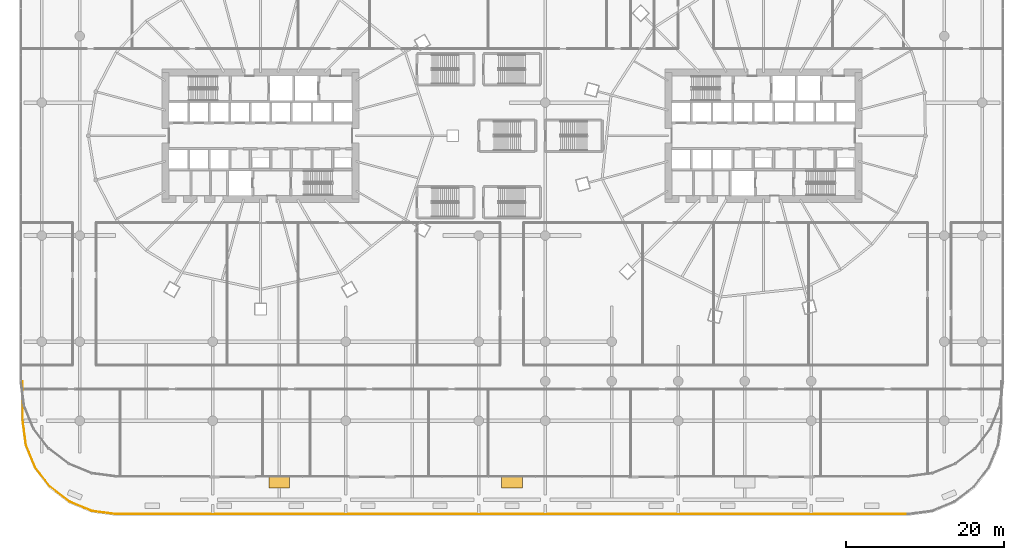
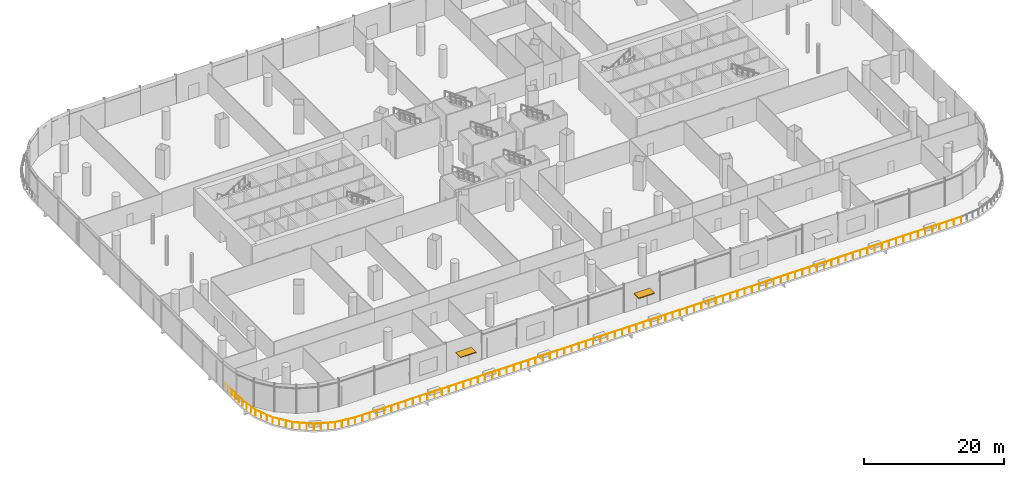
# One storey, part 44 of 51: 2 railings, 2 shading devices.
"""IFC4 building model written with IfcOpenShell, lengths in metres."""

from ifc_helpers import new_model, si_unit, direction, frame, origin, origin_2d, place, context, subcontext, project, spatial, rectangle, circle, extrude, material, layer, layer_set, type_object, element, save


model = new_model("IFC4")

# Units and contexts
model_context = context("Model", 3, precision=1e-05, world=origin(), true_north=direction((0.0, 1.0)))
body_context = subcontext(model_context, "Body", "Model", "MODEL_VIEW")
ifc_project = project(units=[si_unit("LENGTHUNIT", "METRE"), si_unit("AREAUNIT", "SQUARE_METRE"), si_unit("VOLUMEUNIT", "CUBIC_METRE"), si_unit("PLANEANGLEUNIT", "RADIAN"), si_unit("MASSUNIT", "GRAM", prefix="KILO")], contexts=[model_context])

# Site, building, storey
site_placement = place(None, origin())
site = spatial("IfcSite", under=ifc_project, at=site_placement, CompositionType="ELEMENT")
building_placement = place(site_placement, origin())
building = spatial("IfcBuilding", under=site, at=building_placement, Name="Rimbun Link Towers", CompositionType="ELEMENT")
storey_placement = place(building_placement, frame((0.0, 0.0, 7.0)))
storey = spatial("IfcBuildingStorey", under=building, at=storey_placement, Name="L01", CompositionType="ELEMENT", Elevation=7.0)

# Railings
ifc_material_1 = material(Name="Toughened laminated glass, stainless steel grade 316 posts and cap rail", Category="steel")
railing_type = type_object("IfcRailingType", Name="GUARD glass balustrade with stainless cap rail", PredefinedType="BALUSTRADE", material=ifc_material_1)
railing_1_placement = place(storey_placement, frame((-61.800048828125, -31.0, 0.0)))
element("IfcRailing", 1, at=railing_1_placement, inside=storey, type_object=railing_type, Name="GUARD glass balustrade", PredefinedType="BALUSTRADE", context=body_context, shape_type="SweptSolid", body=[
    extrude(circle(Radius=0.02392578125, at=origin_2d()), frame((0.0, 0.0, 1.076171875), z_axis=(0.0, -1.0, 0.0), x_axis=(1.0, 0.0, 0.0)), (0.0, 0.0, 1.0), 4.98681640625),
    extrude(circle(Radius=0.02392578125, at=origin_2d()), frame((0.0, -4.98681640625, 1.076171875), z_axis=(0.130540259305, -0.991443009305, 0.0), x_axis=(0.991443009305, 0.130540259305, 0.0)), (0.0, 0.0, 1.0), 3.09326171875),
    extrude(circle(Radius=0.02392578125, at=origin_2d()), frame((0.40380859375, -8.0537109375, 1.076171875), z_axis=(0.382706499462, -0.92386997747, 0.0), x_axis=(0.92386997747, 0.382706499462, 0.0)), (0.0, 0.0, 1.0), 3.079833984375),
    extrude(circle(Radius=0.02392578125, at=origin_2d()), frame((1.58251953125, -10.899169921875, 1.076171875), z_axis=(0.608702762794, -0.793398353015, 0.0), x_axis=(0.793398353015, 0.608702762794, 0.0)), (0.0, 0.0, 1.0), 3.079833984375),
    extrude(circle(Radius=0.02392578125, at=origin_2d()), frame((3.457275390625, -13.3427734375, 1.076171875), z_axis=(0.793398353015, -0.608702762794, 0.0), x_axis=(0.608702762794, 0.793398353015, 0.0)), (0.0, 0.0, 1.0), 3.079833984375),
    extrude(circle(Radius=0.02392578125, at=origin_2d()), frame((5.90087890625, -15.217529296875, 1.076171875), z_axis=(0.92386997747, -0.382706499462, 0.0), x_axis=(0.382706499462, 0.92386997747, 0.0)), (0.0, 0.0, 1.0), 3.079833984375),
    extrude(circle(Radius=0.02392578125, at=origin_2d()), frame((8.746337890625, -16.396240234375, 1.076171875), z_axis=(0.991443009305, -0.130540259305, 0.0), x_axis=(0.130540259305, 0.991443009305, 0.0)), (0.0, 0.0, 1.0), 3.09326171875),
    extrude(circle(Radius=0.02099609375, at=origin_2d()), origin(), (0.0, 0.0, 1.0), 1.052001953125),
    extrude(circle(Radius=0.02099609375, at=origin_2d()), frame((0.0, -0.997314453125, 0.0)), (0.0, 0.0, 1.0), 1.052001953125),
    extrude(circle(Radius=0.02099609375, at=origin_2d()), frame((0.0, -1.99462890625, 0.0)), (0.0, 0.0, 1.0), 1.052001953125),
    extrude(circle(Radius=0.02099609375, at=origin_2d()), frame((0.0, -2.9921875, 0.0)), (0.0, 0.0, 1.0), 1.052001953125),
    extrude(circle(Radius=0.02099609375, at=origin_2d()), frame((0.0, -3.989501953125, 0.0)), (0.0, 0.0, 1.0), 1.052001953125),
    extrude(circle(Radius=0.02099609375, at=origin_2d()), frame((0.0, -4.98681640625, 0.0)), (0.0, 0.0, 1.0), 1.052001953125),
    extrude(circle(Radius=0.02099609375, at=origin_2d()), frame((0.134521484375, -6.009033203125, 0.0)), (0.0, 0.0, 1.0), 1.052001953125),
    extrude(circle(Radius=0.02099609375, at=origin_2d()), frame((0.269287109375, -7.031494140625, 0.0)), (0.0, 0.0, 1.0), 1.052001953125),
    extrude(circle(Radius=0.02099609375, at=origin_2d()), frame((0.40380859375, -8.0537109375, 0.0)), (0.0, 0.0, 1.0), 1.052001953125),
    extrude(circle(Radius=0.02099609375, at=origin_2d()), frame((0.796630859375, -9.002197265625, 0.0)), (0.0, 0.0, 1.0), 1.052001953125),
    extrude(circle(Radius=0.02099609375, at=origin_2d()), frame((1.189697265625, -9.95068359375, 0.0)), (0.0, 0.0, 1.0), 1.052001953125),
    extrude(circle(Radius=0.02099609375, at=origin_2d()), frame((1.58251953125, -10.899169921875, 0.0)), (0.0, 0.0, 1.0), 1.052001953125),
    extrude(circle(Radius=0.02099609375, at=origin_2d()), frame((2.20751953125, -11.713623046875, 0.0)), (0.0, 0.0, 1.0), 1.052001953125),
    extrude(circle(Radius=0.02099609375, at=origin_2d()), frame((2.832275390625, -12.5283203125, 0.0)), (0.0, 0.0, 1.0), 1.052001953125),
    extrude(circle(Radius=0.02099609375, at=origin_2d()), frame((3.457275390625, -13.3427734375, 0.0)), (0.0, 0.0, 1.0), 1.052001953125),
    extrude(circle(Radius=0.02099609375, at=origin_2d()), frame((4.271728515625, -13.9677734375, 0.0)), (0.0, 0.0, 1.0), 1.052001953125),
    extrude(circle(Radius=0.02099609375, at=origin_2d()), frame((5.08642578125, -14.592529296875, 0.0)), (0.0, 0.0, 1.0), 1.052001953125),
    extrude(circle(Radius=0.02099609375, at=origin_2d()), frame((5.90087890625, -15.217529296875, 0.0)), (0.0, 0.0, 1.0), 1.052001953125),
    extrude(circle(Radius=0.02099609375, at=origin_2d()), frame((6.849365234375, -15.6103515625, 0.0)), (0.0, 0.0, 1.0), 1.052001953125),
    extrude(circle(Radius=0.02099609375, at=origin_2d()), frame((7.7978515625, -16.00341796875, 0.0)), (0.0, 0.0, 1.0), 1.052001953125),
    extrude(circle(Radius=0.02099609375, at=origin_2d()), frame((8.746337890625, -16.396240234375, 0.0)), (0.0, 0.0, 1.0), 1.052001953125),
    extrude(circle(Radius=0.02099609375, at=origin_2d()), frame((9.7685546875, -16.53076171875, 0.0)), (0.0, 0.0, 1.0), 1.052001953125),
    extrude(circle(Radius=0.02099609375, at=origin_2d()), frame((10.791015625, -16.66552734375, 0.0)), (0.0, 0.0, 1.0), 1.052001953125),
    extrude(circle(Radius=0.02099609375, at=origin_2d()), frame((11.813232421875, -16.800048828125, 0.0)), (0.0, 0.0, 1.0), 1.052001953125),
])
railing_2_placement = place(storey_placement, frame((-49.98681640625, -47.800048828125, 0.0)))
element("IfcRailing", 2, at=railing_2_placement, inside=storey, type_object=railing_type, Name="GUARD glass balustrade", PredefinedType="BALUSTRADE", context=body_context, shape_type="SweptSolid", body=[
    extrude(circle(Radius=0.02392578125, at=origin_2d()), frame((0.0, 0.0, 1.076171875), z_axis=(1.0, 0.0, 0.0), x_axis=(0.0, 1.0, 0.0)), (0.0, 0.0, 1.0), 99.9736328125),
    extrude(circle(Radius=0.02099609375, at=origin_2d()), origin(), (0.0, 0.0, 1.0), 1.052001953125),
    extrude(circle(Radius=0.02099609375, at=origin_2d()), frame((1.190185546875, 0.0, 0.0)), (0.0, 0.0, 1.0), 1.052001953125),
    extrude(circle(Radius=0.02099609375, at=origin_2d()), frame((2.38037109375, 0.0, 0.0)), (0.0, 0.0, 1.0), 1.052001953125),
    extrude(circle(Radius=0.02099609375, at=origin_2d()), frame((3.570556640625, 0.0, 0.0)), (0.0, 0.0, 1.0), 1.052001953125),
    extrude(circle(Radius=0.02099609375, at=origin_2d()), frame((4.7607421875, 0.0, 0.0)), (0.0, 0.0, 1.0), 1.052001953125),
    extrude(circle(Radius=0.02099609375, at=origin_2d()), frame((5.950927734375, 0.0, 0.0)), (0.0, 0.0, 1.0), 1.052001953125),
    extrude(circle(Radius=0.02099609375, at=origin_2d()), frame((7.140869140625, 0.0, 0.0)), (0.0, 0.0, 1.0), 1.052001953125),
    extrude(circle(Radius=0.02099609375, at=origin_2d()), frame((8.3310546875, 0.0, 0.0)), (0.0, 0.0, 1.0), 1.052001953125),
    extrude(circle(Radius=0.02099609375, at=origin_2d()), frame((9.521240234375, 0.0, 0.0)), (0.0, 0.0, 1.0), 1.052001953125),
    extrude(circle(Radius=0.02099609375, at=origin_2d()), frame((10.71142578125, 0.0, 0.0)), (0.0, 0.0, 1.0), 1.052001953125),
    extrude(circle(Radius=0.02099609375, at=origin_2d()), frame((11.901611328125, 0.0, 0.0)), (0.0, 0.0, 1.0), 1.052001953125),
    extrude(circle(Radius=0.02099609375, at=origin_2d()), frame((13.091796875, 0.0, 0.0)), (0.0, 0.0, 1.0), 1.052001953125),
    extrude(circle(Radius=0.02099609375, at=origin_2d()), frame((14.281982421875, 0.0, 0.0)), (0.0, 0.0, 1.0), 1.052001953125),
    extrude(circle(Radius=0.02099609375, at=origin_2d()), frame((15.47216796875, 0.0, 0.0)), (0.0, 0.0, 1.0), 1.052001953125),
    extrude(circle(Radius=0.02099609375, at=origin_2d()), frame((16.662353515625, 0.0, 0.0)), (0.0, 0.0, 1.0), 1.052001953125),
    extrude(circle(Radius=0.02099609375, at=origin_2d()), frame((17.8525390625, 0.0, 0.0)), (0.0, 0.0, 1.0), 1.052001953125),
    extrude(circle(Radius=0.02099609375, at=origin_2d()), frame((19.04248046875, 0.0, 0.0)), (0.0, 0.0, 1.0), 1.052001953125),
    extrude(circle(Radius=0.02099609375, at=origin_2d()), frame((20.232666015625, 0.0, 0.0)), (0.0, 0.0, 1.0), 1.052001953125),
    extrude(circle(Radius=0.02099609375, at=origin_2d()), frame((21.4228515625, 0.0, 0.0)), (0.0, 0.0, 1.0), 1.052001953125),
    extrude(circle(Radius=0.02099609375, at=origin_2d()), frame((22.613037109375, 0.0, 0.0)), (0.0, 0.0, 1.0), 1.052001953125),
    extrude(circle(Radius=0.02099609375, at=origin_2d()), frame((23.80322265625, 0.0, 0.0)), (0.0, 0.0, 1.0), 1.052001953125),
    extrude(circle(Radius=0.02099609375, at=origin_2d()), frame((24.993408203125, 0.0, 0.0)), (0.0, 0.0, 1.0), 1.052001953125),
    extrude(circle(Radius=0.02099609375, at=origin_2d()), frame((26.18359375, 0.0, 0.0)), (0.0, 0.0, 1.0), 1.052001953125),
    extrude(circle(Radius=0.02099609375, at=origin_2d()), frame((27.373779296875, 0.0, 0.0)), (0.0, 0.0, 1.0), 1.052001953125),
    extrude(circle(Radius=0.02099609375, at=origin_2d()), frame((28.56396484375, 0.0, 0.0)), (0.0, 0.0, 1.0), 1.052001953125),
    extrude(circle(Radius=0.02099609375, at=origin_2d()), frame((29.754150390625, 0.0, 0.0)), (0.0, 0.0, 1.0), 1.052001953125),
    extrude(circle(Radius=0.02099609375, at=origin_2d()), frame((30.9443359375, 0.0, 0.0)), (0.0, 0.0, 1.0), 1.052001953125),
    extrude(circle(Radius=0.02099609375, at=origin_2d()), frame((32.13427734375, 0.0, 0.0)), (0.0, 0.0, 1.0), 1.052001953125),
    extrude(circle(Radius=0.02099609375, at=origin_2d()), frame((33.324462890625, 0.0, 0.0)), (0.0, 0.0, 1.0), 1.052001953125),
    extrude(circle(Radius=0.02099609375, at=origin_2d()), frame((34.5146484375, 0.0, 0.0)), (0.0, 0.0, 1.0), 1.052001953125),
    extrude(circle(Radius=0.02099609375, at=origin_2d()), frame((35.704833984375, 0.0, 0.0)), (0.0, 0.0, 1.0), 1.052001953125),
    extrude(circle(Radius=0.02099609375, at=origin_2d()), frame((36.89501953125, 0.0, 0.0)), (0.0, 0.0, 1.0), 1.052001953125),
    extrude(circle(Radius=0.02099609375, at=origin_2d()), frame((38.085205078125, 0.0, 0.0)), (0.0, 0.0, 1.0), 1.052001953125),
    extrude(circle(Radius=0.02099609375, at=origin_2d()), frame((39.275390625, 0.0, 0.0)), (0.0, 0.0, 1.0), 1.052001953125),
    extrude(circle(Radius=0.02099609375, at=origin_2d()), frame((40.465576171875, 0.0, 0.0)), (0.0, 0.0, 1.0), 1.052001953125),
    extrude(circle(Radius=0.02099609375, at=origin_2d()), frame((41.65576171875, 0.0, 0.0)), (0.0, 0.0, 1.0), 1.052001953125),
    extrude(circle(Radius=0.02099609375, at=origin_2d()), frame((42.845947265625, 0.0, 0.0)), (0.0, 0.0, 1.0), 1.052001953125),
    extrude(circle(Radius=0.02099609375, at=origin_2d()), frame((44.035888671875, 0.0, 0.0)), (0.0, 0.0, 1.0), 1.052001953125),
    extrude(circle(Radius=0.02099609375, at=origin_2d()), frame((45.22607421875, 0.0, 0.0)), (0.0, 0.0, 1.0), 1.052001953125),
    extrude(circle(Radius=0.02099609375, at=origin_2d()), frame((46.416259765625, 0.0, 0.0)), (0.0, 0.0, 1.0), 1.052001953125),
    extrude(circle(Radius=0.02099609375, at=origin_2d()), frame((47.6064453125, 0.0, 0.0)), (0.0, 0.0, 1.0), 1.052001953125),
    extrude(circle(Radius=0.02099609375, at=origin_2d()), frame((48.796630859375, 0.0, 0.0)), (0.0, 0.0, 1.0), 1.052001953125),
    extrude(circle(Radius=0.02099609375, at=origin_2d()), frame((49.98681640625, 0.0, 0.0)), (0.0, 0.0, 1.0), 1.052001953125),
    extrude(circle(Radius=0.02099609375, at=origin_2d()), frame((51.177001953125, 0.0, 0.0)), (0.0, 0.0, 1.0), 1.052001953125),
    extrude(circle(Radius=0.02099609375, at=origin_2d()), frame((52.3671875, 0.0, 0.0)), (0.0, 0.0, 1.0), 1.052001953125),
    extrude(circle(Radius=0.02099609375, at=origin_2d()), frame((53.557373046875, 0.0, 0.0)), (0.0, 0.0, 1.0), 1.052001953125),
    extrude(circle(Radius=0.02099609375, at=origin_2d()), frame((54.74755859375, 0.0, 0.0)), (0.0, 0.0, 1.0), 1.052001953125),
    extrude(circle(Radius=0.02099609375, at=origin_2d()), frame((55.937744140625, 0.0, 0.0)), (0.0, 0.0, 1.0), 1.052001953125),
    extrude(circle(Radius=0.02099609375, at=origin_2d()), frame((57.127685546875, 0.0, 0.0)), (0.0, 0.0, 1.0), 1.052001953125),
    extrude(circle(Radius=0.02099609375, at=origin_2d()), frame((58.31787109375, 0.0, 0.0)), (0.0, 0.0, 1.0), 1.052001953125),
    extrude(circle(Radius=0.02099609375, at=origin_2d()), frame((59.508056640625, 0.0, 0.0)), (0.0, 0.0, 1.0), 1.052001953125),
    extrude(circle(Radius=0.02099609375, at=origin_2d()), frame((60.6982421875, 0.0, 0.0)), (0.0, 0.0, 1.0), 1.052001953125),
    extrude(circle(Radius=0.02099609375, at=origin_2d()), frame((61.888427734375, 0.0, 0.0)), (0.0, 0.0, 1.0), 1.052001953125),
    extrude(circle(Radius=0.02099609375, at=origin_2d()), frame((63.07861328125, 0.0, 0.0)), (0.0, 0.0, 1.0), 1.052001953125),
    extrude(circle(Radius=0.02099609375, at=origin_2d()), frame((64.268798828125, 0.0, 0.0)), (0.0, 0.0, 1.0), 1.052001953125),
    extrude(circle(Radius=0.02099609375, at=origin_2d()), frame((65.458984375, 0.0, 0.0)), (0.0, 0.0, 1.0), 1.052001953125),
    extrude(circle(Radius=0.02099609375, at=origin_2d()), frame((66.649169921875, 0.0, 0.0)), (0.0, 0.0, 1.0), 1.052001953125),
    extrude(circle(Radius=0.02099609375, at=origin_2d()), frame((67.83935546875, 0.0, 0.0)), (0.0, 0.0, 1.0), 1.052001953125),
    extrude(circle(Radius=0.02099609375, at=origin_2d()), frame((69.029296875, 0.0, 0.0)), (0.0, 0.0, 1.0), 1.052001953125),
    extrude(circle(Radius=0.02099609375, at=origin_2d()), frame((70.219482421875, 0.0, 0.0)), (0.0, 0.0, 1.0), 1.052001953125),
    extrude(circle(Radius=0.02099609375, at=origin_2d()), frame((71.40966796875, 0.0, 0.0)), (0.0, 0.0, 1.0), 1.052001953125),
    extrude(circle(Radius=0.02099609375, at=origin_2d()), frame((72.599853515625, 0.0, 0.0)), (0.0, 0.0, 1.0), 1.052001953125),
    extrude(circle(Radius=0.02099609375, at=origin_2d()), frame((73.7900390625, 0.0, 0.0)), (0.0, 0.0, 1.0), 1.052001953125),
    extrude(circle(Radius=0.02099609375, at=origin_2d()), frame((74.980224609375, 0.0, 0.0)), (0.0, 0.0, 1.0), 1.052001953125),
    extrude(circle(Radius=0.02099609375, at=origin_2d()), frame((76.17041015625, 0.0, 0.0)), (0.0, 0.0, 1.0), 1.052001953125),
    extrude(circle(Radius=0.02099609375, at=origin_2d()), frame((77.360595703125, 0.0, 0.0)), (0.0, 0.0, 1.0), 1.052001953125),
    extrude(circle(Radius=0.02099609375, at=origin_2d()), frame((78.55078125, 0.0, 0.0)), (0.0, 0.0, 1.0), 1.052001953125),
    extrude(circle(Radius=0.02099609375, at=origin_2d()), frame((79.740966796875, 0.0, 0.0)), (0.0, 0.0, 1.0), 1.052001953125),
    extrude(circle(Radius=0.02099609375, at=origin_2d()), frame((80.93115234375, 0.0, 0.0)), (0.0, 0.0, 1.0), 1.052001953125),
    extrude(circle(Radius=0.02099609375, at=origin_2d()), frame((82.12109375, 0.0, 0.0)), (0.0, 0.0, 1.0), 1.052001953125),
    extrude(circle(Radius=0.02099609375, at=origin_2d()), frame((83.311279296875, 0.0, 0.0)), (0.0, 0.0, 1.0), 1.052001953125),
    extrude(circle(Radius=0.02099609375, at=origin_2d()), frame((84.50146484375, 0.0, 0.0)), (0.0, 0.0, 1.0), 1.052001953125),
    extrude(circle(Radius=0.02099609375, at=origin_2d()), frame((85.691650390625, 0.0, 0.0)), (0.0, 0.0, 1.0), 1.052001953125),
    extrude(circle(Radius=0.02099609375, at=origin_2d()), frame((86.8818359375, 0.0, 0.0)), (0.0, 0.0, 1.0), 1.052001953125),
    extrude(circle(Radius=0.02099609375, at=origin_2d()), frame((88.072021484375, 0.0, 0.0)), (0.0, 0.0, 1.0), 1.052001953125),
    extrude(circle(Radius=0.02099609375, at=origin_2d()), frame((89.26220703125, 0.0, 0.0)), (0.0, 0.0, 1.0), 1.052001953125),
    extrude(circle(Radius=0.02099609375, at=origin_2d()), frame((90.452392578125, 0.0, 0.0)), (0.0, 0.0, 1.0), 1.052001953125),
    extrude(circle(Radius=0.02099609375, at=origin_2d()), frame((91.642578125, 0.0, 0.0)), (0.0, 0.0, 1.0), 1.052001953125),
    extrude(circle(Radius=0.02099609375, at=origin_2d()), frame((92.832763671875, 0.0, 0.0)), (0.0, 0.0, 1.0), 1.052001953125),
    extrude(circle(Radius=0.02099609375, at=origin_2d()), frame((94.022705078125, 0.0, 0.0)), (0.0, 0.0, 1.0), 1.052001953125),
    extrude(circle(Radius=0.02099609375, at=origin_2d()), frame((95.212890625, 0.0, 0.0)), (0.0, 0.0, 1.0), 1.052001953125),
    extrude(circle(Radius=0.02099609375, at=origin_2d()), frame((96.403076171875, 0.0, 0.0)), (0.0, 0.0, 1.0), 1.052001953125),
    extrude(circle(Radius=0.02099609375, at=origin_2d()), frame((97.59326171875, 0.0, 0.0)), (0.0, 0.0, 1.0), 1.052001953125),
    extrude(circle(Radius=0.02099609375, at=origin_2d()), frame((98.783447265625, 0.0, 0.0)), (0.0, 0.0, 1.0), 1.052001953125),
    extrude(circle(Radius=0.02099609375, at=origin_2d()), frame((99.9736328125, 0.0, 0.0)), (0.0, 0.0, 1.0), 1.052001953125),
])

# Shading devices
ifc_material_2 = material(Name="Aluminium 6063-T6 louvre blades in a powder-coated aluminium frame", Category="aluminium")
ifc_layer = layer(ifc_material_2, 0.139892578125)
ifc_layer_set = layer_set([ifc_layer], Name="RAIN CANOPY louvre blades 2600X1400")
shading_device_type = type_object("IfcShadingDeviceType", Name="RAIN CANOPY louvre blades 2600X1400", PredefinedType="AWNING", material=ifc_layer_set)
for number, where, z_axis, x_axis, name in (
    (3, (-29.411865234375, -43.800048828125, 2.7001953125), (0.0, 0.0, 1.0), (-1.0, 0.0, 0.0), "RAIN CANOPY over terrace door"),
    (4, (0.0, -43.800048828125, 2.7001953125), (0.0, 0.0, 1.0), (-1.0, 0.0, 0.0), "RAIN CANOPY over terrace door"),
):
    element("IfcShadingDevice", number, at=place(storey_placement, frame(where, z_axis=z_axis, x_axis=x_axis)), inside=storey, type_object=shading_device_type, Name=name, PredefinedType="AWNING", context=body_context, shape_type="SweptSolid", body=[
        extrude(rectangle(XDim=2.60009765625, YDim=1.39990234375, at=origin_2d()), origin(), (0.0, 0.0, 1.0), 0.139892578125),
    ])

save(model, "model.ifc")
